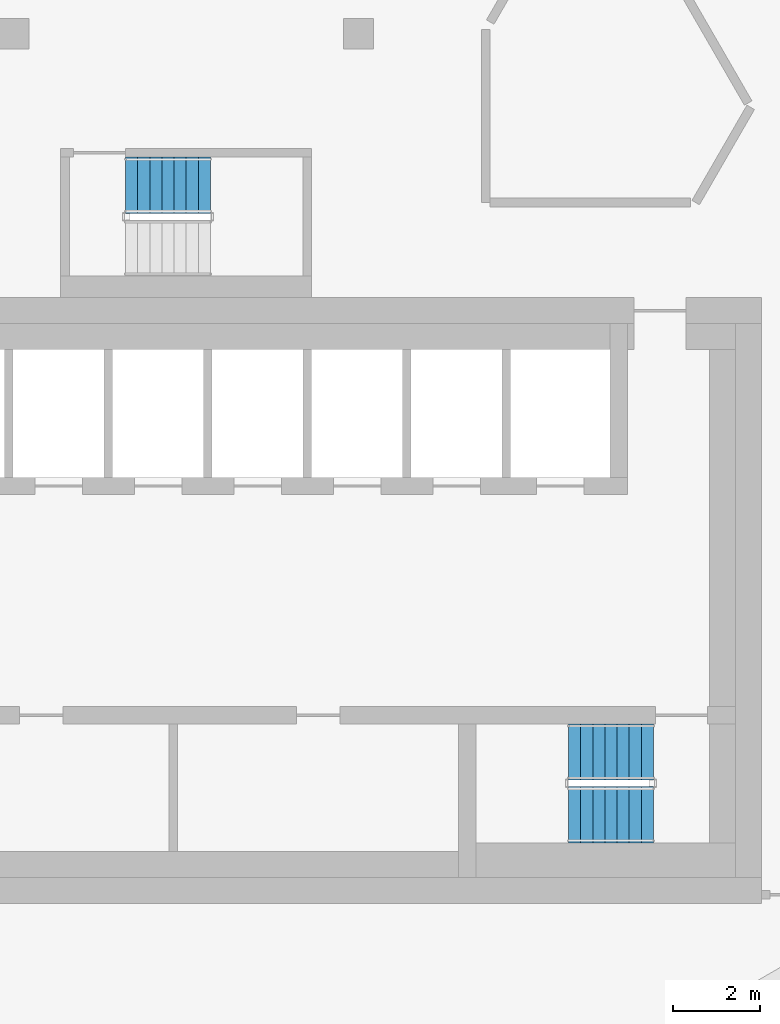
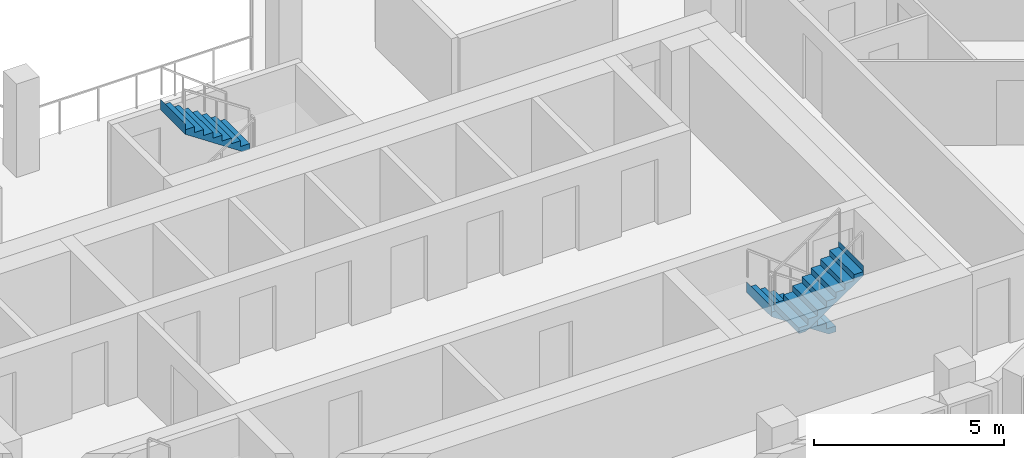
# One storey, part 9 of 14: 3 stair flights, 2 elements without a shape of their own.
"""IFC4 building model written with IfcOpenShell, lengths in metres."""

from ifc_helpers import new_model, si_unit, direction, frame, origin, place, context, subcontext, project, spatial, triangles, material, type_object, element, aggregate, save


model = new_model("IFC4")

# Units and contexts
model_context = context("Model", 3, precision=1e-05, world=origin(), true_north=direction((0.0, 1.0)))
body_context = subcontext(model_context, "Body", "Model", "MODEL_VIEW")
ifc_project = project(units=[si_unit("LENGTHUNIT", "METRE"), si_unit("AREAUNIT", "SQUARE_METRE"), si_unit("VOLUMEUNIT", "CUBIC_METRE"), si_unit("PLANEANGLEUNIT", "RADIAN"), si_unit("MASSUNIT", "GRAM", prefix="KILO")], contexts=[model_context])

# Site, building, storey
site_placement = place(None, origin())
site = spatial("IfcSite", under=ifc_project, at=site_placement, CompositionType="ELEMENT")
building_placement = place(site_placement, origin())
building = spatial("IfcBuilding", under=site, at=building_placement, Name="Beryl Residences", CompositionType="ELEMENT")
storey_placement = place(building_placement, frame((0.0, 0.0, 181.199951171875)))
storey = spatial("IfcBuildingStorey", under=building, at=storey_placement, Name="L55", CompositionType="ELEMENT", Elevation=181.199951171875)

# Stair, stair flights
ifc_material_1 = material(Name="Concrete C40/50", Category="concrete")
stair_type = type_object("IfcStairType", Name="ST1 protected exit stair, half-turn, 1300 mm flights", PredefinedType="HALF_TURN_STAIR", material=ifc_material_1)
stair_1_placement = place(storey_placement, origin())
stair_1 = element("IfcStair", 1, at=stair_1_placement, inside=storey, type_object=stair_type, Name="L55 PROTECTED EXIT STAIR ST-3", PredefinedType="HALF_TURN_STAIR")
ifc_material_2 = material(Name="Concrete C40/50", Category="concrete")
stair_flight_type = type_object("IfcStairFlightType", Name="SF1 stair flight 1300 mm", PredefinedType="STRAIGHT", material=ifc_material_2)
stair_flight_1_placement = place(storey_placement, frame((10.800048828125, -15.5, 0.0), z_axis=(0.0, 0.0, 1.0), x_axis=(-1.0, 0.0, 0.0)))
stair_flight_1 = element("IfcStairFlight", 2, at=stair_flight_1_placement, type_object=stair_flight_type, Name="ST-3 flight 1", NumberOfRisers=8, NumberOfTreads=7, PredefinedType="STRAIGHT", RiserHeight=0.1875, TreadLength=0.28, context=body_context, shape_type="Tessellation", body=[
    triangles([(0.0, -0.64990234375, 0.0), (0.0, -0.324951171875, 0.0), (0.0, 0.0, 0.0), (0.0, 0.324951171875, 0.0), (0.0, 0.64990234375, 0.0), (0.0, -0.64990234375, 0.1875), (0.0, -0.324951171875, 0.1875), (0.0, 0.0, 0.1875), (0.0, 0.324951171875, 0.1875), (0.0, 0.64990234375, 0.1875), (0.280029296875, -0.64990234375, 0.1875), (0.280029296875, -0.324951171875, 0.1875), (0.280029296875, 0.0, 0.1875), (0.280029296875, 0.324951171875, 0.1875), (0.280029296875, 0.64990234375, 0.1875), (0.280029296875, -0.64990234375, 0.375), (0.280029296875, -0.324951171875, 0.375), (0.280029296875, 0.0, 0.375), (0.280029296875, 0.324951171875, 0.375), (0.280029296875, 0.64990234375, 0.375), (0.56005859375, -0.64990234375, 0.375), (0.56005859375, -0.324951171875, 0.375), (0.56005859375, 0.0, 0.375), (0.56005859375, 0.324951171875, 0.375), (0.56005859375, 0.64990234375, 0.375), (0.56005859375, -0.64990234375, 0.5625), (0.56005859375, -0.324951171875, 0.5625), (0.56005859375, 0.0, 0.5625), (0.56005859375, 0.324951171875, 0.5625), (0.56005859375, 0.64990234375, 0.5625), (0.840087890625, -0.64990234375, 0.5625), (0.840087890625, -0.324951171875, 0.5625), (0.840087890625, 0.0, 0.5625), (0.840087890625, 0.324951171875, 0.5625), (0.840087890625, 0.64990234375, 0.5625), (0.840087890625, -0.64990234375, 0.75), (0.840087890625, -0.324951171875, 0.75), (0.840087890625, 0.0, 0.75), (0.840087890625, 0.324951171875, 0.75), (0.840087890625, 0.64990234375, 0.75), (1.1201171875, -0.64990234375, 0.75), (1.1201171875, -0.324951171875, 0.75), (1.1201171875, 0.0, 0.75), (1.1201171875, 0.324951171875, 0.75), (1.1201171875, 0.64990234375, 0.75), (1.1201171875, -0.64990234375, 0.9375), (1.1201171875, -0.324951171875, 0.9375), (1.1201171875, 0.0, 0.9375), (1.1201171875, 0.324951171875, 0.9375), (1.1201171875, 0.64990234375, 0.9375), (1.39990234375, -0.64990234375, 0.9375), (1.39990234375, -0.324951171875, 0.9375), (1.39990234375, 0.0, 0.9375), (1.39990234375, 0.324951171875, 0.9375), (1.39990234375, 0.64990234375, 0.9375), (1.39990234375, -0.64990234375, 1.125), (1.39990234375, -0.324951171875, 1.125), (1.39990234375, 0.0, 1.125), (1.39990234375, 0.324951171875, 1.125), (1.39990234375, 0.64990234375, 1.125), (1.679931640625, -0.64990234375, 1.125), (1.679931640625, -0.324951171875, 1.125), (1.679931640625, 0.0, 1.125), (1.679931640625, 0.324951171875, 1.125), (1.679931640625, 0.64990234375, 1.125), (1.679931640625, -0.64990234375, 1.3125), (1.679931640625, -0.324951171875, 1.3125), (1.679931640625, 0.0, 1.3125), (1.679931640625, 0.324951171875, 1.3125), (1.679931640625, 0.64990234375, 1.3125), (1.9599609375, -0.64990234375, 1.3125), (1.9599609375, -0.324951171875, 1.3125), (1.9599609375, 0.0, 1.3125), (1.9599609375, 0.324951171875, 1.3125), (1.9599609375, 0.64990234375, 1.3125), (1.9599609375, -0.64990234375, 1.5), (1.9599609375, -0.324951171875, 1.5), (1.9599609375, 0.0, 1.5), (1.9599609375, 0.324951171875, 1.5), (1.9599609375, 0.64990234375, 1.5), (1.9609375, -0.64990234375, 1.5), (1.9609375, -0.324951171875, 1.5), (1.9609375, 0.0, 1.5), (1.9609375, 0.324951171875, 1.5), (1.9609375, 0.64990234375, 1.5), (1.9609375, -0.64990234375, 1.16796875), (1.9609375, -0.324951171875, 1.16796875), (1.9609375, 0.0, 1.16796875), (1.9609375, 0.324951171875, 1.16796875), (1.9609375, 0.64990234375, 1.16796875), (0.216796875, -0.64990234375, 0.0), (0.216796875, -0.324951171875, 0.0), (0.216796875, 0.0, 0.0), (0.216796875, 0.324951171875, 0.0), (0.216796875, 0.64990234375, 0.0)], [[1, 6, 7], [1, 7, 2], [2, 7, 8], [2, 8, 3], [3, 8, 9], [3, 9, 4], [4, 9, 10], [4, 10, 5], [6, 11, 12], [6, 12, 7], [7, 12, 13], [7, 13, 8], [8, 13, 14], [8, 14, 9], [9, 14, 15], [9, 15, 10], [11, 16, 17], [11, 17, 12], [12, 17, 18], [12, 18, 13], [13, 18, 19], [13, 19, 14], [14, 19, 20], [14, 20, 15], [16, 21, 22], [16, 22, 17], [17, 22, 23], [17, 23, 18], [18, 23, 24], [18, 24, 19], [19, 24, 25], [19, 25, 20], [21, 26, 27], [21, 27, 22], [22, 27, 28], [22, 28, 23], [23, 28, 29], [23, 29, 24], [24, 29, 30], [24, 30, 25], [26, 31, 32], [26, 32, 27], [27, 32, 33], [27, 33, 28], [28, 33, 34], [28, 34, 29], [29, 34, 35], [29, 35, 30], [31, 36, 37], [31, 37, 32], [32, 37, 38], [32, 38, 33], [33, 38, 39], [33, 39, 34], [34, 39, 40], [34, 40, 35], [36, 41, 42], [36, 42, 37], [37, 42, 43], [37, 43, 38], [38, 43, 44], [38, 44, 39], [39, 44, 45], [39, 45, 40], [41, 46, 47], [41, 47, 42], [42, 47, 48], [42, 48, 43], [43, 48, 49], [43, 49, 44], [44, 49, 50], [44, 50, 45], [46, 51, 52], [46, 52, 47], [47, 52, 53], [47, 53, 48], [48, 53, 54], [48, 54, 49], [49, 54, 55], [49, 55, 50], [51, 56, 57], [51, 57, 52], [52, 57, 58], [52, 58, 53], [53, 58, 59], [53, 59, 54], [54, 59, 60], [54, 60, 55], [56, 61, 62], [56, 62, 57], [57, 62, 63], [57, 63, 58], [58, 63, 64], [58, 64, 59], [59, 64, 65], [59, 65, 60], [61, 66, 67], [61, 67, 62], [62, 67, 68], [62, 68, 63], [63, 68, 69], [63, 69, 64], [64, 69, 70], [64, 70, 65], [66, 71, 72], [66, 72, 67], [67, 72, 73], [67, 73, 68], [68, 73, 74], [68, 74, 69], [69, 74, 75], [69, 75, 70], [71, 76, 77], [71, 77, 72], [72, 77, 78], [72, 78, 73], [73, 78, 79], [73, 79, 74], [74, 79, 80], [74, 80, 75], [76, 81, 82], [76, 82, 77], [77, 82, 83], [77, 83, 78], [78, 83, 84], [78, 84, 79], [79, 84, 85], [79, 85, 80], [81, 86, 87], [81, 87, 82], [82, 87, 88], [82, 88, 83], [83, 88, 89], [83, 89, 84], [84, 89, 90], [84, 90, 85], [86, 91, 92], [86, 92, 87], [87, 92, 93], [87, 93, 88], [88, 93, 94], [88, 94, 89], [89, 94, 95], [89, 95, 90], [91, 1, 2], [91, 2, 92], [92, 2, 3], [92, 3, 93], [93, 3, 4], [93, 4, 94], [94, 4, 5], [94, 5, 95], [1, 91, 86], [5, 90, 95], [86, 81, 76], [90, 80, 85], [86, 76, 71], [90, 75, 80], [86, 71, 66], [90, 70, 75], [86, 66, 61], [90, 65, 70], [61, 56, 51], [65, 55, 60], [86, 61, 51], [90, 55, 65], [51, 46, 41], [55, 45, 50], [86, 51, 41], [90, 45, 55], [41, 36, 31], [45, 35, 40], [86, 41, 31], [90, 35, 45], [31, 26, 21], [35, 25, 30], [86, 31, 21], [90, 25, 35], [21, 16, 11], [25, 15, 20], [86, 21, 11], [90, 15, 25], [1, 86, 11], [5, 15, 90], [11, 6, 1], [15, 5, 10]], closed=True),
])
stair_flight_2_placement = place(storey_placement, frame((8.840087890625, -16.949951171875, 1.5), z_axis=(0.0, 0.0, 1.0), x_axis=(1.0, 0.0, 0.0)))
stair_flight_2 = element("IfcStairFlight", 3, at=stair_flight_2_placement, type_object=stair_flight_type, Name="ST-3 flight 2", NumberOfRisers=8, NumberOfTreads=7, PredefinedType="STRAIGHT", RiserHeight=0.1875, TreadLength=0.28, context=body_context, shape_type="Tessellation", body=[
    triangles([(0.0, -0.64990234375, 0.0), (0.0, -0.324951171875, 0.0), (0.0, 0.0, 0.0), (0.0, 0.324951171875, 0.0), (0.0, 0.64990234375, 0.0), (0.0, -0.64990234375, 0.1875), (0.0, -0.324951171875, 0.1875), (0.0, 0.0, 0.1875), (0.0, 0.324951171875, 0.1875), (0.0, 0.64990234375, 0.1875), (0.280029296875, -0.64990234375, 0.1875), (0.280029296875, -0.324951171875, 0.1875), (0.280029296875, 0.0, 0.1875), (0.280029296875, 0.324951171875, 0.1875), (0.280029296875, 0.64990234375, 0.1875), (0.280029296875, -0.64990234375, 0.375), (0.280029296875, -0.324951171875, 0.375), (0.280029296875, 0.0, 0.375), (0.280029296875, 0.324951171875, 0.375), (0.280029296875, 0.64990234375, 0.375), (0.56005859375, -0.64990234375, 0.375), (0.56005859375, -0.324951171875, 0.375), (0.56005859375, 0.0, 0.375), (0.56005859375, 0.324951171875, 0.375), (0.56005859375, 0.64990234375, 0.375), (0.56005859375, -0.64990234375, 0.5625), (0.56005859375, -0.324951171875, 0.5625), (0.56005859375, 0.0, 0.5625), (0.56005859375, 0.324951171875, 0.5625), (0.56005859375, 0.64990234375, 0.5625), (0.840087890625, -0.64990234375, 0.5625), (0.840087890625, -0.324951171875, 0.5625), (0.840087890625, 0.0, 0.5625), (0.840087890625, 0.324951171875, 0.5625), (0.840087890625, 0.64990234375, 0.5625), (0.840087890625, -0.64990234375, 0.75), (0.840087890625, -0.324951171875, 0.75), (0.840087890625, 0.0, 0.75), (0.840087890625, 0.324951171875, 0.75), (0.840087890625, 0.64990234375, 0.75), (1.1201171875, -0.64990234375, 0.75), (1.1201171875, -0.324951171875, 0.75), (1.1201171875, 0.0, 0.75), (1.1201171875, 0.324951171875, 0.75), (1.1201171875, 0.64990234375, 0.75), (1.1201171875, -0.64990234375, 0.9375), (1.1201171875, -0.324951171875, 0.9375), (1.1201171875, 0.0, 0.9375), (1.1201171875, 0.324951171875, 0.9375), (1.1201171875, 0.64990234375, 0.9375), (1.39990234375, -0.64990234375, 0.9375), (1.39990234375, -0.324951171875, 0.9375), (1.39990234375, 0.0, 0.9375), (1.39990234375, 0.324951171875, 0.9375), (1.39990234375, 0.64990234375, 0.9375), (1.39990234375, -0.64990234375, 1.125), (1.39990234375, -0.324951171875, 1.125), (1.39990234375, 0.0, 1.125), (1.39990234375, 0.324951171875, 1.125), (1.39990234375, 0.64990234375, 1.125), (1.679931640625, -0.64990234375, 1.125), (1.679931640625, -0.324951171875, 1.125), (1.679931640625, 0.0, 1.125), (1.679931640625, 0.324951171875, 1.125), (1.679931640625, 0.64990234375, 1.125), (1.679931640625, -0.64990234375, 1.3125), (1.679931640625, -0.324951171875, 1.3125), (1.679931640625, 0.0, 1.3125), (1.679931640625, 0.324951171875, 1.3125), (1.679931640625, 0.64990234375, 1.3125), (1.9599609375, -0.64990234375, 1.3125), (1.9599609375, -0.324951171875, 1.3125), (1.9599609375, 0.0, 1.3125), (1.9599609375, 0.324951171875, 1.3125), (1.9599609375, 0.64990234375, 1.3125), (1.9599609375, -0.64990234375, 1.5), (1.9599609375, -0.324951171875, 1.5), (1.9599609375, 0.0, 1.5), (1.9599609375, 0.324951171875, 1.5), (1.9599609375, 0.64990234375, 1.5), (1.9609375, -0.64990234375, 1.5), (1.9609375, -0.324951171875, 1.5), (1.9609375, 0.0, 1.5), (1.9609375, 0.324951171875, 1.5), (1.9609375, 0.64990234375, 1.5), (1.9609375, -0.64990234375, 1.16796875), (1.9609375, -0.324951171875, 1.16796875), (1.9609375, 0.0, 1.16796875), (1.9609375, 0.324951171875, 1.16796875), (1.9609375, 0.64990234375, 1.16796875), (0.216796875, -0.64990234375, 0.0), (0.216796875, -0.324951171875, 0.0), (0.216796875, 0.0, 0.0), (0.216796875, 0.324951171875, 0.0), (0.216796875, 0.64990234375, 0.0)], [[1, 6, 7], [1, 7, 2], [2, 7, 8], [2, 8, 3], [3, 8, 9], [3, 9, 4], [4, 9, 10], [4, 10, 5], [6, 11, 12], [6, 12, 7], [7, 12, 13], [7, 13, 8], [8, 13, 14], [8, 14, 9], [9, 14, 15], [9, 15, 10], [11, 16, 17], [11, 17, 12], [12, 17, 18], [12, 18, 13], [13, 18, 19], [13, 19, 14], [14, 19, 20], [14, 20, 15], [16, 21, 22], [16, 22, 17], [17, 22, 23], [17, 23, 18], [18, 23, 24], [18, 24, 19], [19, 24, 25], [19, 25, 20], [21, 26, 27], [21, 27, 22], [22, 27, 28], [22, 28, 23], [23, 28, 29], [23, 29, 24], [24, 29, 30], [24, 30, 25], [26, 31, 32], [26, 32, 27], [27, 32, 33], [27, 33, 28], [28, 33, 34], [28, 34, 29], [29, 34, 35], [29, 35, 30], [31, 36, 37], [31, 37, 32], [32, 37, 38], [32, 38, 33], [33, 38, 39], [33, 39, 34], [34, 39, 40], [34, 40, 35], [36, 41, 42], [36, 42, 37], [37, 42, 43], [37, 43, 38], [38, 43, 44], [38, 44, 39], [39, 44, 45], [39, 45, 40], [41, 46, 47], [41, 47, 42], [42, 47, 48], [42, 48, 43], [43, 48, 49], [43, 49, 44], [44, 49, 50], [44, 50, 45], [46, 51, 52], [46, 52, 47], [47, 52, 53], [47, 53, 48], [48, 53, 54], [48, 54, 49], [49, 54, 55], [49, 55, 50], [51, 56, 57], [51, 57, 52], [52, 57, 58], [52, 58, 53], [53, 58, 59], [53, 59, 54], [54, 59, 60], [54, 60, 55], [56, 61, 62], [56, 62, 57], [57, 62, 63], [57, 63, 58], [58, 63, 64], [58, 64, 59], [59, 64, 65], [59, 65, 60], [61, 66, 67], [61, 67, 62], [62, 67, 68], [62, 68, 63], [63, 68, 69], [63, 69, 64], [64, 69, 70], [64, 70, 65], [66, 71, 72], [66, 72, 67], [67, 72, 73], [67, 73, 68], [68, 73, 74], [68, 74, 69], [69, 74, 75], [69, 75, 70], [71, 76, 77], [71, 77, 72], [72, 77, 78], [72, 78, 73], [73, 78, 79], [73, 79, 74], [74, 79, 80], [74, 80, 75], [76, 81, 82], [76, 82, 77], [77, 82, 83], [77, 83, 78], [78, 83, 84], [78, 84, 79], [79, 84, 85], [79, 85, 80], [81, 86, 87], [81, 87, 82], [82, 87, 88], [82, 88, 83], [83, 88, 89], [83, 89, 84], [84, 89, 90], [84, 90, 85], [86, 91, 92], [86, 92, 87], [87, 92, 93], [87, 93, 88], [88, 93, 94], [88, 94, 89], [89, 94, 95], [89, 95, 90], [91, 1, 2], [91, 2, 92], [92, 2, 3], [92, 3, 93], [93, 3, 4], [93, 4, 94], [94, 4, 5], [94, 5, 95], [1, 91, 86], [5, 90, 95], [86, 81, 76], [90, 80, 85], [86, 76, 71], [90, 75, 80], [86, 71, 66], [90, 70, 75], [86, 66, 61], [90, 65, 70], [61, 56, 51], [65, 55, 60], [86, 61, 51], [90, 55, 65], [51, 46, 41], [55, 45, 50], [86, 51, 41], [90, 45, 55], [41, 36, 31], [45, 35, 40], [86, 41, 31], [90, 35, 45], [31, 26, 21], [35, 25, 30], [86, 31, 21], [90, 25, 35], [21, 16, 11], [25, 15, 20], [86, 21, 11], [90, 15, 25], [1, 86, 11], [5, 15, 90], [11, 6, 1], [15, 5, 10]], closed=True),
])
aggregate(stair_1, [stair_flight_1, stair_flight_2])

# Stair, stair flight
stair_2_placement = place(storey_placement, origin())
stair_2 = element("IfcStair", 4, at=stair_2_placement, inside=storey, type_object=stair_type, Name="L55 PROTECTED EXIT STAIR ST-4", PredefinedType="HALF_TURN_STAIR")
stair_flight_3_placement = place(storey_placement, frame((0.56005859375, -2.39990234375, 1.5), z_axis=(0.0, 0.0, 1.0), x_axis=(-1.0, 0.0, 0.0)))
stair_flight_3 = element("IfcStairFlight", 5, at=stair_flight_3_placement, type_object=stair_flight_type, Name="ST-4 flight 2", NumberOfRisers=8, NumberOfTreads=7, PredefinedType="STRAIGHT", RiserHeight=0.1875, TreadLength=0.28, context=body_context, shape_type="Tessellation", body=[
    triangles([(0.0, -0.64990234375, 0.0), (0.0, -0.324951171875, 0.0), (0.0, 0.0, 0.0), (0.0, 0.324951171875, 0.0), (0.0, 0.64990234375, 0.0), (0.0, -0.64990234375, 0.1875), (0.0, -0.324951171875, 0.1875), (0.0, 0.0, 0.1875), (0.0, 0.324951171875, 0.1875), (0.0, 0.64990234375, 0.1875), (0.280029296875, -0.64990234375, 0.1875), (0.280029296875, -0.324951171875, 0.1875), (0.280029296875, 0.0, 0.1875), (0.280029296875, 0.324951171875, 0.1875), (0.280029296875, 0.64990234375, 0.1875), (0.280029296875, -0.64990234375, 0.375), (0.280029296875, -0.324951171875, 0.375), (0.280029296875, 0.0, 0.375), (0.280029296875, 0.324951171875, 0.375), (0.280029296875, 0.64990234375, 0.375), (0.56005859375, -0.64990234375, 0.375), (0.56005859375, -0.324951171875, 0.375), (0.56005859375, 0.0, 0.375), (0.56005859375, 0.324951171875, 0.375), (0.56005859375, 0.64990234375, 0.375), (0.56005859375, -0.64990234375, 0.5625), (0.56005859375, -0.324951171875, 0.5625), (0.56005859375, 0.0, 0.5625), (0.56005859375, 0.324951171875, 0.5625), (0.56005859375, 0.64990234375, 0.5625), (0.840087890625, -0.64990234375, 0.5625), (0.840087890625, -0.324951171875, 0.5625), (0.840087890625, 0.0, 0.5625), (0.840087890625, 0.324951171875, 0.5625), (0.840087890625, 0.64990234375, 0.5625), (0.840087890625, -0.64990234375, 0.75), (0.840087890625, -0.324951171875, 0.75), (0.840087890625, 0.0, 0.75), (0.840087890625, 0.324951171875, 0.75), (0.840087890625, 0.64990234375, 0.75), (1.1201171875, -0.64990234375, 0.75), (1.1201171875, -0.324951171875, 0.75), (1.1201171875, 0.0, 0.75), (1.1201171875, 0.324951171875, 0.75), (1.1201171875, 0.64990234375, 0.75), (1.1201171875, -0.64990234375, 0.9375), (1.1201171875, -0.324951171875, 0.9375), (1.1201171875, 0.0, 0.9375), (1.1201171875, 0.324951171875, 0.9375), (1.1201171875, 0.64990234375, 0.9375), (1.39990234375, -0.64990234375, 0.9375), (1.39990234375, -0.324951171875, 0.9375), (1.39990234375, 0.0, 0.9375), (1.39990234375, 0.324951171875, 0.9375), (1.39990234375, 0.64990234375, 0.9375), (1.39990234375, -0.64990234375, 1.125), (1.39990234375, -0.324951171875, 1.125), (1.39990234375, 0.0, 1.125), (1.39990234375, 0.324951171875, 1.125), (1.39990234375, 0.64990234375, 1.125), (1.679931640625, -0.64990234375, 1.125), (1.679931640625, -0.324951171875, 1.125), (1.679931640625, 0.0, 1.125), (1.679931640625, 0.324951171875, 1.125), (1.679931640625, 0.64990234375, 1.125), (1.679931640625, -0.64990234375, 1.3125), (1.679931640625, -0.324951171875, 1.3125), (1.679931640625, 0.0, 1.3125), (1.679931640625, 0.324951171875, 1.3125), (1.679931640625, 0.64990234375, 1.3125), (1.9599609375, -0.64990234375, 1.3125), (1.9599609375, -0.324951171875, 1.3125), (1.9599609375, 0.0, 1.3125), (1.9599609375, 0.324951171875, 1.3125), (1.9599609375, 0.64990234375, 1.3125), (1.9599609375, -0.64990234375, 1.5), (1.9599609375, -0.324951171875, 1.5), (1.9599609375, 0.0, 1.5), (1.9599609375, 0.324951171875, 1.5), (1.9599609375, 0.64990234375, 1.5), (1.9609375, -0.64990234375, 1.5), (1.9609375, -0.324951171875, 1.5), (1.9609375, 0.0, 1.5), (1.9609375, 0.324951171875, 1.5), (1.9609375, 0.64990234375, 1.5), (1.9609375, -0.64990234375, 1.16796875), (1.9609375, -0.324951171875, 1.16796875), (1.9609375, 0.0, 1.16796875), (1.9609375, 0.324951171875, 1.16796875), (1.9609375, 0.64990234375, 1.16796875), (0.216796875, -0.64990234375, 0.0), (0.216796875, -0.324951171875, 0.0), (0.216796875, 0.0, 0.0), (0.216796875, 0.324951171875, 0.0), (0.216796875, 0.64990234375, 0.0)], [[1, 6, 7], [1, 7, 2], [2, 7, 8], [2, 8, 3], [3, 8, 9], [3, 9, 4], [4, 9, 10], [4, 10, 5], [6, 11, 12], [6, 12, 7], [7, 12, 13], [7, 13, 8], [8, 13, 14], [8, 14, 9], [9, 14, 15], [9, 15, 10], [11, 16, 17], [11, 17, 12], [12, 17, 18], [12, 18, 13], [13, 18, 19], [13, 19, 14], [14, 19, 20], [14, 20, 15], [16, 21, 22], [16, 22, 17], [17, 22, 23], [17, 23, 18], [18, 23, 24], [18, 24, 19], [19, 24, 25], [19, 25, 20], [21, 26, 27], [21, 27, 22], [22, 27, 28], [22, 28, 23], [23, 28, 29], [23, 29, 24], [24, 29, 30], [24, 30, 25], [26, 31, 32], [26, 32, 27], [27, 32, 33], [27, 33, 28], [28, 33, 34], [28, 34, 29], [29, 34, 35], [29, 35, 30], [31, 36, 37], [31, 37, 32], [32, 37, 38], [32, 38, 33], [33, 38, 39], [33, 39, 34], [34, 39, 40], [34, 40, 35], [36, 41, 42], [36, 42, 37], [37, 42, 43], [37, 43, 38], [38, 43, 44], [38, 44, 39], [39, 44, 45], [39, 45, 40], [41, 46, 47], [41, 47, 42], [42, 47, 48], [42, 48, 43], [43, 48, 49], [43, 49, 44], [44, 49, 50], [44, 50, 45], [46, 51, 52], [46, 52, 47], [47, 52, 53], [47, 53, 48], [48, 53, 54], [48, 54, 49], [49, 54, 55], [49, 55, 50], [51, 56, 57], [51, 57, 52], [52, 57, 58], [52, 58, 53], [53, 58, 59], [53, 59, 54], [54, 59, 60], [54, 60, 55], [56, 61, 62], [56, 62, 57], [57, 62, 63], [57, 63, 58], [58, 63, 64], [58, 64, 59], [59, 64, 65], [59, 65, 60], [61, 66, 67], [61, 67, 62], [62, 67, 68], [62, 68, 63], [63, 68, 69], [63, 69, 64], [64, 69, 70], [64, 70, 65], [66, 71, 72], [66, 72, 67], [67, 72, 73], [67, 73, 68], [68, 73, 74], [68, 74, 69], [69, 74, 75], [69, 75, 70], [71, 76, 77], [71, 77, 72], [72, 77, 78], [72, 78, 73], [73, 78, 79], [73, 79, 74], [74, 79, 80], [74, 80, 75], [76, 81, 82], [76, 82, 77], [77, 82, 83], [77, 83, 78], [78, 83, 84], [78, 84, 79], [79, 84, 85], [79, 85, 80], [81, 86, 87], [81, 87, 82], [82, 87, 88], [82, 88, 83], [83, 88, 89], [83, 89, 84], [84, 89, 90], [84, 90, 85], [86, 91, 92], [86, 92, 87], [87, 92, 93], [87, 93, 88], [88, 93, 94], [88, 94, 89], [89, 94, 95], [89, 95, 90], [91, 1, 2], [91, 2, 92], [92, 2, 3], [92, 3, 93], [93, 3, 4], [93, 4, 94], [94, 4, 5], [94, 5, 95], [1, 91, 86], [5, 90, 95], [86, 81, 76], [90, 80, 85], [86, 76, 71], [90, 75, 80], [86, 71, 66], [90, 70, 75], [86, 66, 61], [90, 65, 70], [61, 56, 51], [65, 55, 60], [86, 61, 51], [90, 55, 65], [51, 46, 41], [55, 45, 50], [86, 51, 41], [90, 45, 55], [41, 36, 31], [45, 35, 40], [86, 41, 31], [90, 35, 45], [31, 26, 21], [35, 25, 30], [86, 31, 21], [90, 25, 35], [21, 16, 11], [25, 15, 20], [86, 21, 11], [90, 15, 25], [1, 86, 11], [5, 15, 90], [11, 6, 1], [15, 5, 10]], closed=True),
])
aggregate(stair_2, [stair_flight_3])

save(model, "model.ifc")
